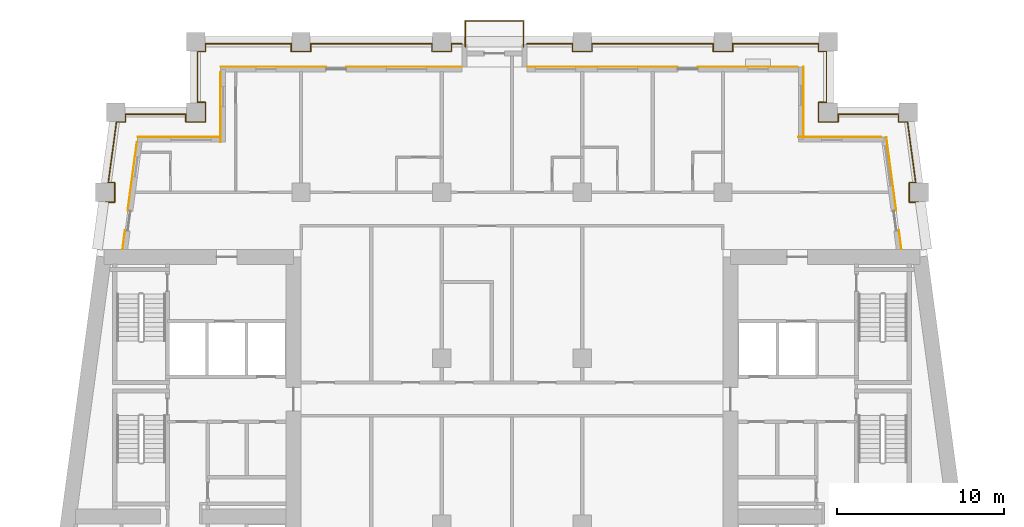
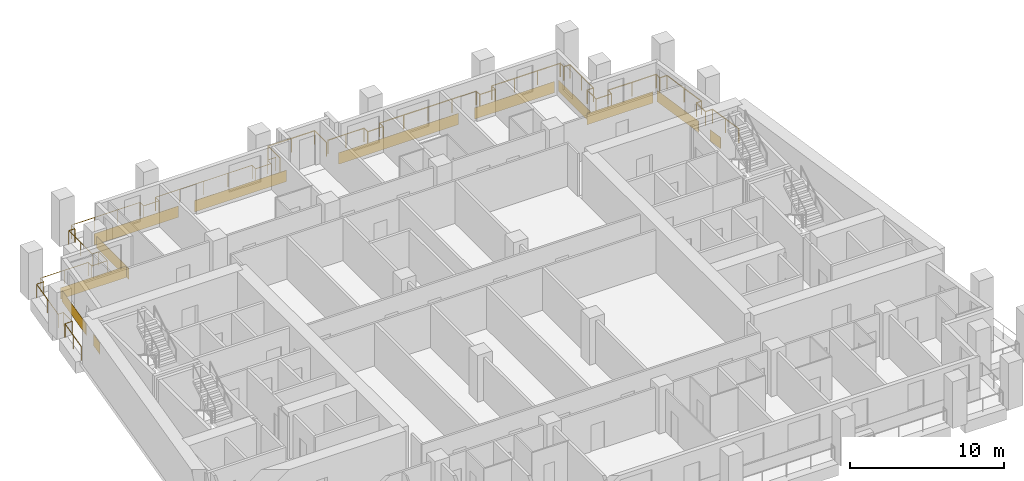
# One storey, part 12 of 13: 12 coverings, 3 railings.
"""IFC4 building model written with IfcOpenShell, lengths in metres."""

from ifc_helpers import new_model, si_unit, direction, frame, origin, origin_2d, place, context, subcontext, project, spatial, rectangle, circle, extrude, material, layer, layer_set, type_object, element, save


model = new_model("IFC4")

# Units and contexts
model_context = context("Model", 3, precision=1e-05, world=origin(), true_north=direction((0.0, 1.0)))
body_context = subcontext(model_context, "Body", "Model", "MODEL_VIEW")
ifc_project = project(units=[si_unit("LENGTHUNIT", "METRE"), si_unit("AREAUNIT", "SQUARE_METRE"), si_unit("VOLUMEUNIT", "CUBIC_METRE"), si_unit("PLANEANGLEUNIT", "RADIAN"), si_unit("MASSUNIT", "GRAM", prefix="KILO")], contexts=[model_context])

# Site, building, storey
site_placement = place(None, origin())
site = spatial("IfcSite", under=ifc_project, at=site_placement, CompositionType="ELEMENT")
building_placement = place(site_placement, origin())
building = spatial("IfcBuilding", under=site, at=building_placement, Name="Candeia Pilgrim Tower and Theatre", CompositionType="ELEMENT")
storey_placement = place(building_placement, frame((0.0, 0.0, 177.39990234375)))
storey = spatial("IfcBuildingStorey", under=building, at=storey_placement, Name="L42", CompositionType="ELEMENT", Elevation=177.39990234375)

# Railings
ifc_material_1 = material(Name="Stainless steel balustrade", Category="steel")
railing_type = type_object("IfcRailingType", Name="G1 loggia guard 1100", PredefinedType="GUARDRAIL", material=ifc_material_1)
railing_1_placement = place(storey_placement, frame((88.758544921875, 132.449951171875, 0.0)))
element("IfcRailing", 1, at=railing_1_placement, inside=storey, type_object=railing_type, Name="Guard L42.2", PredefinedType="GUARDRAIL", context=body_context, shape_type="SweptSolid", body=[
    extrude(circle(Radius=0.02392578125, at=origin_2d()), frame((0.0, 0.0, 1.076171875), z_axis=(0.133382313969, 0.991064659001, 0.0), x_axis=(-0.991064659001, 0.133382313969, 0.0)), (0.0, 0.0, 1.0), 2.794921875),
    extrude(circle(Radius=0.02392578125, at=origin_2d()), frame((0.372802734375, 2.77001953125, 1.076171875), z_axis=(1.0, 0.0, 0.0), x_axis=(0.0, 1.0, 0.0)), (0.0, 0.0, 1.0), 0.537109375),
    extrude(circle(Radius=0.02392578125, at=origin_2d()), frame((0.909912109375, 2.77001953125, 1.076171875), z_axis=(0.0, 1.0, 0.0), x_axis=(-1.0, 0.0, 0.0)), (0.0, 0.0, 1.0), 1.159912109375),
    extrude(circle(Radius=0.02392578125, at=origin_2d()), frame((0.909912109375, 3.929931640625, 1.076171875), z_axis=(-1.0, 0.0, 0.0), x_axis=(0.0, -1.0, 0.0)), (0.0, 0.0, 1.0), 0.380859375),
    extrude(circle(Radius=0.02392578125, at=origin_2d()), frame((0.529052734375, 3.929931640625, 1.076171875), z_axis=(0.133404479078, 0.99106167566, 0.0), x_axis=(-0.99106167566, 0.133404479078, 0.0)), (0.0, 0.0, 1.0), 3.6728515625),
    extrude(circle(Radius=0.02392578125, at=origin_2d()), frame((1.01904296875, 7.570068359375, 1.076171875), z_axis=(1.0, 0.0, 0.0), x_axis=(0.0, 1.0, 0.0)), (0.0, 0.0, 1.0), 0.537109375),
    extrude(circle(Radius=0.02392578125, at=origin_2d()), frame((1.55615234375, 7.570068359375, 1.076171875), z_axis=(0.0, 1.0, 0.0), x_axis=(-1.0, 0.0, 0.0)), (0.0, 0.0, 1.0), 0.4599609375),
    extrude(circle(Radius=0.02392578125, at=origin_2d()), frame((1.55615234375, 8.030029296875, 1.076171875), z_axis=(1.0, 0.0, 0.0), x_axis=(0.0, 1.0, 0.0)), (0.0, 0.0, 1.0), 3.605224609375),
    extrude(circle(Radius=0.02392578125, at=origin_2d()), frame((5.161376953125, 8.030029296875, 1.076171875), z_axis=(0.0, -1.0, 0.0), x_axis=(1.0, 0.0, 0.0)), (0.0, 0.0, 1.0), 0.4599609375),
    extrude(circle(Radius=0.02392578125, at=origin_2d()), frame((5.161376953125, 7.570068359375, 1.076171875), z_axis=(1.0, 0.0, 0.0), x_axis=(0.0, 1.0, 0.0)), (0.0, 0.0, 1.0), 1.16015625),
    extrude(circle(Radius=0.02392578125, at=origin_2d()), frame((6.321533203125, 7.570068359375, 1.076171875), z_axis=(0.0, 1.0, 0.0), x_axis=(-1.0, 0.0, 0.0)), (0.0, 0.0, 1.0), 1.159912109375),
    extrude(circle(Radius=0.02392578125, at=origin_2d()), frame((6.321533203125, 8.72998046875, 1.076171875), z_axis=(-1.0, 0.0, 0.0), x_axis=(0.0, -1.0, 0.0)), (0.0, 0.0, 1.0), 0.4599609375),
    extrude(circle(Radius=0.02392578125, at=origin_2d()), frame((5.861572265625, 8.72998046875, 1.076171875), z_axis=(0.0, 1.0, 0.0), x_axis=(-1.0, 0.0, 0.0)), (0.0, 0.0, 1.0), 3.0400390625),
    extrude(circle(Radius=0.02392578125, at=origin_2d()), frame((5.861572265625, 11.77001953125, 1.076171875), z_axis=(1.0, 0.0, 0.0), x_axis=(0.0, 1.0, 0.0)), (0.0, 0.0, 1.0), 0.4599609375),
    extrude(circle(Radius=0.02392578125, at=origin_2d()), frame((6.321533203125, 11.77001953125, 1.076171875), z_axis=(0.0, 1.0, 0.0), x_axis=(-1.0, 0.0, 0.0)), (0.0, 0.0, 1.0), 0.4599609375),
    extrude(circle(Radius=0.02392578125, at=origin_2d()), frame((6.321533203125, 12.22998046875, 1.076171875), z_axis=(1.0, 0.0, 0.0), x_axis=(0.0, 1.0, 0.0)), (0.0, 0.0, 1.0), 5.139892578125),
    extrude(circle(Radius=0.02392578125, at=origin_2d()), frame((11.46142578125, 12.22998046875, 1.076171875), z_axis=(0.0, -1.0, 0.0), x_axis=(1.0, 0.0, 0.0)), (0.0, 0.0, 1.0), 0.4599609375),
    extrude(circle(Radius=0.02392578125, at=origin_2d()), frame((11.46142578125, 11.77001953125, 1.076171875), z_axis=(1.0, 0.0, 0.0), x_axis=(0.0, 1.0, 0.0)), (0.0, 0.0, 1.0), 1.159912109375),
    extrude(circle(Radius=0.02392578125, at=origin_2d()), frame((12.621337890625, 11.77001953125, 1.076171875), z_axis=(0.0, 1.0, 0.0), x_axis=(-1.0, 0.0, 0.0)), (0.0, 0.0, 1.0), 0.4599609375),
    extrude(circle(Radius=0.02392578125, at=origin_2d()), frame((12.621337890625, 12.22998046875, 1.076171875), z_axis=(1.0, 0.0, 0.0), x_axis=(0.0, 1.0, 0.0)), (0.0, 0.0, 1.0), 7.240234375),
    extrude(circle(Radius=0.02392578125, at=origin_2d()), frame((19.861572265625, 12.22998046875, 1.076171875), z_axis=(0.0, -1.0, 0.0), x_axis=(1.0, 0.0, 0.0)), (0.0, 0.0, 1.0), 0.4599609375),
    extrude(circle(Radius=0.02392578125, at=origin_2d()), frame((19.861572265625, 11.77001953125, 1.076171875), z_axis=(1.0, 0.0, 0.0), x_axis=(0.0, 1.0, 0.0)), (0.0, 0.0, 1.0), 1.159912109375),
    extrude(circle(Radius=0.02392578125, at=origin_2d()), frame((21.021484375, 11.77001953125, 1.076171875), z_axis=(0.0, 1.0, 0.0), x_axis=(-1.0, 0.0, 0.0)), (0.0, 0.0, 1.0), 0.4599609375),
    extrude(circle(Radius=0.02392578125, at=origin_2d()), frame((21.021484375, 12.22998046875, 1.076171875), z_axis=(1.0, 0.0, 0.0), x_axis=(0.0, 1.0, 0.0)), (0.0, 0.0, 1.0), 0.619873046875),
    extrude(circle(Radius=0.02099609375, at=origin_2d()), origin(), (0.0, 0.0, 1.0), 1.052001953125),
    extrude(circle(Radius=0.02099609375, at=origin_2d()), frame((0.1865234375, 1.385009765625, 0.0)), (0.0, 0.0, 1.0), 1.052001953125),
    extrude(circle(Radius=0.02099609375, at=origin_2d()), frame((0.372802734375, 2.77001953125, 0.0)), (0.0, 0.0, 1.0), 1.052001953125),
    extrude(circle(Radius=0.02099609375, at=origin_2d()), frame((0.909912109375, 2.77001953125, 0.0)), (0.0, 0.0, 1.0), 1.052001953125),
    extrude(circle(Radius=0.02099609375, at=origin_2d()), frame((0.909912109375, 3.929931640625, 0.0)), (0.0, 0.0, 1.0), 1.052001953125),
    extrude(circle(Radius=0.02099609375, at=origin_2d()), frame((0.529052734375, 3.929931640625, 0.0)), (0.0, 0.0, 1.0), 1.052001953125),
    extrude(circle(Radius=0.02099609375, at=origin_2d()), frame((0.77392578125, 5.75, 0.0)), (0.0, 0.0, 1.0), 1.052001953125),
    extrude(circle(Radius=0.02099609375, at=origin_2d()), frame((1.01904296875, 7.570068359375, 0.0)), (0.0, 0.0, 1.0), 1.052001953125),
    extrude(circle(Radius=0.02099609375, at=origin_2d()), frame((1.55615234375, 7.570068359375, 0.0)), (0.0, 0.0, 1.0), 1.052001953125),
    extrude(circle(Radius=0.02099609375, at=origin_2d()), frame((1.55615234375, 8.030029296875, 0.0)), (0.0, 0.0, 1.0), 1.052001953125),
    extrude(circle(Radius=0.02099609375, at=origin_2d()), frame((3.35888671875, 8.030029296875, 0.0)), (0.0, 0.0, 1.0), 1.052001953125),
    extrude(circle(Radius=0.02099609375, at=origin_2d()), frame((5.161376953125, 8.030029296875, 0.0)), (0.0, 0.0, 1.0), 1.052001953125),
    extrude(circle(Radius=0.02099609375, at=origin_2d()), frame((5.161376953125, 7.570068359375, 0.0)), (0.0, 0.0, 1.0), 1.052001953125),
    extrude(circle(Radius=0.02099609375, at=origin_2d()), frame((6.321533203125, 7.570068359375, 0.0)), (0.0, 0.0, 1.0), 1.052001953125),
    extrude(circle(Radius=0.02099609375, at=origin_2d()), frame((6.321533203125, 8.72998046875, 0.0)), (0.0, 0.0, 1.0), 1.052001953125),
    extrude(circle(Radius=0.02099609375, at=origin_2d()), frame((5.861572265625, 8.72998046875, 0.0)), (0.0, 0.0, 1.0), 1.052001953125),
    extrude(circle(Radius=0.02099609375, at=origin_2d()), frame((5.861572265625, 10.25, 0.0)), (0.0, 0.0, 1.0), 1.052001953125),
    extrude(circle(Radius=0.02099609375, at=origin_2d()), frame((5.861572265625, 11.77001953125, 0.0)), (0.0, 0.0, 1.0), 1.052001953125),
    extrude(circle(Radius=0.02099609375, at=origin_2d()), frame((6.321533203125, 11.77001953125, 0.0)), (0.0, 0.0, 1.0), 1.052001953125),
    extrude(circle(Radius=0.02099609375, at=origin_2d()), frame((6.321533203125, 12.22998046875, 0.0)), (0.0, 0.0, 1.0), 1.052001953125),
    extrude(circle(Radius=0.02099609375, at=origin_2d()), frame((8.034912109375, 12.22998046875, 0.0)), (0.0, 0.0, 1.0), 1.052001953125),
    extrude(circle(Radius=0.02099609375, at=origin_2d()), frame((9.748046875, 12.22998046875, 0.0)), (0.0, 0.0, 1.0), 1.052001953125),
    extrude(circle(Radius=0.02099609375, at=origin_2d()), frame((11.46142578125, 12.22998046875, 0.0)), (0.0, 0.0, 1.0), 1.052001953125),
    extrude(circle(Radius=0.02099609375, at=origin_2d()), frame((11.46142578125, 11.77001953125, 0.0)), (0.0, 0.0, 1.0), 1.052001953125),
    extrude(circle(Radius=0.02099609375, at=origin_2d()), frame((12.621337890625, 11.77001953125, 0.0)), (0.0, 0.0, 1.0), 1.052001953125),
    extrude(circle(Radius=0.02099609375, at=origin_2d()), frame((12.621337890625, 12.22998046875, 0.0)), (0.0, 0.0, 1.0), 1.052001953125),
    extrude(circle(Radius=0.02099609375, at=origin_2d()), frame((14.431396484375, 12.22998046875, 0.0)), (0.0, 0.0, 1.0), 1.052001953125),
    extrude(circle(Radius=0.02099609375, at=origin_2d()), frame((16.241455078125, 12.22998046875, 0.0)), (0.0, 0.0, 1.0), 1.052001953125),
    extrude(circle(Radius=0.02099609375, at=origin_2d()), frame((18.051513671875, 12.22998046875, 0.0)), (0.0, 0.0, 1.0), 1.052001953125),
    extrude(circle(Radius=0.02099609375, at=origin_2d()), frame((19.861572265625, 12.22998046875, 0.0)), (0.0, 0.0, 1.0), 1.052001953125),
    extrude(circle(Radius=0.02099609375, at=origin_2d()), frame((19.861572265625, 11.77001953125, 0.0)), (0.0, 0.0, 1.0), 1.052001953125),
    extrude(circle(Radius=0.02099609375, at=origin_2d()), frame((21.021484375, 11.77001953125, 0.0)), (0.0, 0.0, 1.0), 1.052001953125),
    extrude(circle(Radius=0.02099609375, at=origin_2d()), frame((21.021484375, 12.22998046875, 0.0)), (0.0, 0.0, 1.0), 1.052001953125),
    extrude(circle(Radius=0.02099609375, at=origin_2d()), frame((21.641357421875, 12.22998046875, 0.0)), (0.0, 0.0, 1.0), 1.052001953125),
])
railing_2_placement = place(storey_placement, frame((114.300048828125, 144.679931640625, 0.0)))
element("IfcRailing", 2, at=railing_2_placement, inside=storey, type_object=railing_type, Name="Guard L42.3", PredefinedType="GUARDRAIL", context=body_context, shape_type="SweptSolid", body=[
    extrude(circle(Radius=0.02392578125, at=origin_2d()), frame((0.0, 0.0, 1.076171875), z_axis=(1.0, 0.0, 0.0), x_axis=(0.0, 1.0, 0.0)), (0.0, 0.0, 1.0), 2.719970703125),
    extrude(circle(Radius=0.02392578125, at=origin_2d()), frame((2.719970703125, 0.0, 1.076171875), z_axis=(0.0, -1.0, 0.0), x_axis=(1.0, 0.0, 0.0)), (0.0, 0.0, 1.0), 0.4599609375),
    extrude(circle(Radius=0.02392578125, at=origin_2d()), frame((2.719970703125, -0.4599609375, 1.076171875), z_axis=(1.0, 0.0, 0.0), x_axis=(0.0, 1.0, 0.0)), (0.0, 0.0, 1.0), 1.159912109375),
    extrude(circle(Radius=0.02392578125, at=origin_2d()), frame((3.8798828125, -0.4599609375, 1.076171875), z_axis=(0.0, 1.0, 0.0), x_axis=(-1.0, 0.0, 0.0)), (0.0, 0.0, 1.0), 0.4599609375),
    extrude(circle(Radius=0.02392578125, at=origin_2d()), frame((3.8798828125, 0.0, 1.076171875), z_axis=(1.0, 0.0, 0.0), x_axis=(0.0, 1.0, 0.0)), (0.0, 0.0, 1.0), 7.239990234375),
    extrude(circle(Radius=0.02392578125, at=origin_2d()), frame((11.119873046875, 0.0, 1.076171875), z_axis=(0.0, -1.0, 0.0), x_axis=(1.0, 0.0, 0.0)), (0.0, 0.0, 1.0), 0.4599609375),
    extrude(circle(Radius=0.02392578125, at=origin_2d()), frame((11.119873046875, -0.4599609375, 1.076171875), z_axis=(1.0, 0.0, 0.0), x_axis=(0.0, 1.0, 0.0)), (0.0, 0.0, 1.0), 1.16015625),
    extrude(circle(Radius=0.02392578125, at=origin_2d()), frame((12.280029296875, -0.4599609375, 1.076171875), z_axis=(0.0, 1.0, 0.0), x_axis=(-1.0, 0.0, 0.0)), (0.0, 0.0, 1.0), 0.4599609375),
    extrude(circle(Radius=0.02392578125, at=origin_2d()), frame((12.280029296875, 0.0, 1.076171875), z_axis=(1.0, 0.0, 0.0), x_axis=(0.0, 1.0, 0.0)), (0.0, 0.0, 1.0), 5.139892578125),
    extrude(circle(Radius=0.02392578125, at=origin_2d()), frame((17.419921875, 0.0, 1.076171875), z_axis=(0.0, -1.0, 0.0), x_axis=(1.0, 0.0, 0.0)), (0.0, 0.0, 1.0), 0.4599609375),
    extrude(circle(Radius=0.02392578125, at=origin_2d()), frame((17.419921875, -0.4599609375, 1.076171875), z_axis=(1.0, 0.0, 0.0), x_axis=(0.0, 1.0, 0.0)), (0.0, 0.0, 1.0), 0.4599609375),
    extrude(circle(Radius=0.02392578125, at=origin_2d()), frame((17.8798828125, -0.4599609375, 1.076171875), z_axis=(0.0, -1.0, 0.0), x_axis=(1.0, 0.0, 0.0)), (0.0, 0.0, 1.0), 3.0400390625),
    extrude(circle(Radius=0.02392578125, at=origin_2d()), frame((17.8798828125, -3.5, 1.076171875), z_axis=(-1.0, 0.0, 0.0), x_axis=(0.0, -1.0, 0.0)), (0.0, 0.0, 1.0), 0.4599609375),
    extrude(circle(Radius=0.02392578125, at=origin_2d()), frame((17.419921875, -3.5, 1.076171875), z_axis=(0.0, -1.0, 0.0), x_axis=(1.0, 0.0, 0.0)), (0.0, 0.0, 1.0), 1.159912109375),
    extrude(circle(Radius=0.02392578125, at=origin_2d()), frame((17.419921875, -4.659912109375, 1.076171875), z_axis=(1.0, 0.0, 0.0), x_axis=(0.0, 1.0, 0.0)), (0.0, 0.0, 1.0), 1.159912109375),
    extrude(circle(Radius=0.02392578125, at=origin_2d()), frame((18.579833984375, -4.659912109375, 1.076171875), z_axis=(0.0, 1.0, 0.0), x_axis=(-1.0, 0.0, 0.0)), (0.0, 0.0, 1.0), 0.4599609375),
    extrude(circle(Radius=0.02392578125, at=origin_2d()), frame((18.579833984375, -4.199951171875, 1.076171875), z_axis=(1.0, 0.0, 0.0), x_axis=(0.0, 1.0, 0.0)), (0.0, 0.0, 1.0), 3.60546875),
    extrude(circle(Radius=0.02392578125, at=origin_2d()), frame((22.185302734375, -4.199951171875, 1.076171875), z_axis=(0.0, -1.0, 0.0), x_axis=(1.0, 0.0, 0.0)), (0.0, 0.0, 1.0), 0.4599609375),
    extrude(circle(Radius=0.02392578125, at=origin_2d()), frame((22.185302734375, -4.659912109375, 1.076171875), z_axis=(1.0, 0.0, 0.0), x_axis=(0.0, 1.0, 0.0)), (0.0, 0.0, 1.0), 0.537109375),
    extrude(circle(Radius=0.02392578125, at=origin_2d()), frame((22.722412109375, -4.659912109375, 1.076171875), z_axis=(0.133404479078, -0.99106167566, 0.0), x_axis=(0.99106167566, 0.133404479078, 0.0)), (0.0, 0.0, 1.0), 3.6728515625),
    extrude(circle(Radius=0.02392578125, at=origin_2d()), frame((23.21240234375, -8.300048828125, 1.076171875), z_axis=(-1.0, 0.0, 0.0), x_axis=(0.0, -1.0, 0.0)), (0.0, 0.0, 1.0), 0.380859375),
    extrude(circle(Radius=0.02392578125, at=origin_2d()), frame((22.83154296875, -8.300048828125, 1.076171875), z_axis=(0.0, -1.0, 0.0), x_axis=(1.0, 0.0, 0.0)), (0.0, 0.0, 1.0), 1.159912109375),
    extrude(circle(Radius=0.02392578125, at=origin_2d()), frame((22.83154296875, -9.4599609375, 1.076171875), z_axis=(1.0, 0.0, 0.0), x_axis=(0.0, 1.0, 0.0)), (0.0, 0.0, 1.0), 0.536865234375),
    extrude(circle(Radius=0.02392578125, at=origin_2d()), frame((23.368408203125, -9.4599609375, 1.076171875), z_axis=(0.133468107709, -0.99105310868, 0.0), x_axis=(0.99105310868, 0.133468107709, 0.0)), (0.0, 0.0, 1.0), 2.794921875),
    extrude(circle(Radius=0.02099609375, at=origin_2d()), origin(), (0.0, 0.0, 1.0), 1.052001953125),
    extrude(circle(Radius=0.02099609375, at=origin_2d()), frame((1.35986328125, 0.0, 0.0)), (0.0, 0.0, 1.0), 1.052001953125),
    extrude(circle(Radius=0.02099609375, at=origin_2d()), frame((2.719970703125, 0.0, 0.0)), (0.0, 0.0, 1.0), 1.052001953125),
    extrude(circle(Radius=0.02099609375, at=origin_2d()), frame((2.719970703125, -0.4599609375, 0.0)), (0.0, 0.0, 1.0), 1.052001953125),
    extrude(circle(Radius=0.02099609375, at=origin_2d()), frame((3.8798828125, -0.4599609375, 0.0)), (0.0, 0.0, 1.0), 1.052001953125),
    extrude(circle(Radius=0.02099609375, at=origin_2d()), frame((3.8798828125, 0.0, 0.0)), (0.0, 0.0, 1.0), 1.052001953125),
    extrude(circle(Radius=0.02099609375, at=origin_2d()), frame((5.68994140625, 0.0, 0.0)), (0.0, 0.0, 1.0), 1.052001953125),
    extrude(circle(Radius=0.02099609375, at=origin_2d()), frame((7.5, 0.0, 0.0)), (0.0, 0.0, 1.0), 1.052001953125),
    extrude(circle(Radius=0.02099609375, at=origin_2d()), frame((9.309814453125, 0.0, 0.0)), (0.0, 0.0, 1.0), 1.052001953125),
    extrude(circle(Radius=0.02099609375, at=origin_2d()), frame((11.119873046875, 0.0, 0.0)), (0.0, 0.0, 1.0), 1.052001953125),
    extrude(circle(Radius=0.02099609375, at=origin_2d()), frame((11.119873046875, -0.4599609375, 0.0)), (0.0, 0.0, 1.0), 1.052001953125),
    extrude(circle(Radius=0.02099609375, at=origin_2d()), frame((12.280029296875, -0.4599609375, 0.0)), (0.0, 0.0, 1.0), 1.052001953125),
    extrude(circle(Radius=0.02099609375, at=origin_2d()), frame((12.280029296875, 0.0, 0.0)), (0.0, 0.0, 1.0), 1.052001953125),
    extrude(circle(Radius=0.02099609375, at=origin_2d()), frame((13.993408203125, 0.0, 0.0)), (0.0, 0.0, 1.0), 1.052001953125),
    extrude(circle(Radius=0.02099609375, at=origin_2d()), frame((15.70654296875, 0.0, 0.0)), (0.0, 0.0, 1.0), 1.052001953125),
    extrude(circle(Radius=0.02099609375, at=origin_2d()), frame((17.419921875, 0.0, 0.0)), (0.0, 0.0, 1.0), 1.052001953125),
    extrude(circle(Radius=0.02099609375, at=origin_2d()), frame((17.419921875, -0.4599609375, 0.0)), (0.0, 0.0, 1.0), 1.052001953125),
    extrude(circle(Radius=0.02099609375, at=origin_2d()), frame((17.8798828125, -0.4599609375, 0.0)), (0.0, 0.0, 1.0), 1.052001953125),
    extrude(circle(Radius=0.02099609375, at=origin_2d()), frame((17.8798828125, -1.97998046875, 0.0)), (0.0, 0.0, 1.0), 1.052001953125),
    extrude(circle(Radius=0.02099609375, at=origin_2d()), frame((17.8798828125, -3.5, 0.0)), (0.0, 0.0, 1.0), 1.052001953125),
    extrude(circle(Radius=0.02099609375, at=origin_2d()), frame((17.419921875, -3.5, 0.0)), (0.0, 0.0, 1.0), 1.052001953125),
    extrude(circle(Radius=0.02099609375, at=origin_2d()), frame((17.419921875, -4.659912109375, 0.0)), (0.0, 0.0, 1.0), 1.052001953125),
    extrude(circle(Radius=0.02099609375, at=origin_2d()), frame((18.579833984375, -4.659912109375, 0.0)), (0.0, 0.0, 1.0), 1.052001953125),
    extrude(circle(Radius=0.02099609375, at=origin_2d()), frame((18.579833984375, -4.199951171875, 0.0)), (0.0, 0.0, 1.0), 1.052001953125),
    extrude(circle(Radius=0.02099609375, at=origin_2d()), frame((20.382568359375, -4.199951171875, 0.0)), (0.0, 0.0, 1.0), 1.052001953125),
    extrude(circle(Radius=0.02099609375, at=origin_2d()), frame((22.185302734375, -4.199951171875, 0.0)), (0.0, 0.0, 1.0), 1.052001953125),
    extrude(circle(Radius=0.02099609375, at=origin_2d()), frame((22.185302734375, -4.659912109375, 0.0)), (0.0, 0.0, 1.0), 1.052001953125),
    extrude(circle(Radius=0.02099609375, at=origin_2d()), frame((22.722412109375, -4.659912109375, 0.0)), (0.0, 0.0, 1.0), 1.052001953125),
    extrude(circle(Radius=0.02099609375, at=origin_2d()), frame((22.96728515625, -6.47998046875, 0.0)), (0.0, 0.0, 1.0), 1.052001953125),
    extrude(circle(Radius=0.02099609375, at=origin_2d()), frame((23.21240234375, -8.300048828125, 0.0)), (0.0, 0.0, 1.0), 1.052001953125),
    extrude(circle(Radius=0.02099609375, at=origin_2d()), frame((22.83154296875, -8.300048828125, 0.0)), (0.0, 0.0, 1.0), 1.052001953125),
    extrude(circle(Radius=0.02099609375, at=origin_2d()), frame((22.83154296875, -9.4599609375, 0.0)), (0.0, 0.0, 1.0), 1.052001953125),
    extrude(circle(Radius=0.02099609375, at=origin_2d()), frame((23.368408203125, -9.4599609375, 0.0)), (0.0, 0.0, 1.0), 1.052001953125),
    extrude(circle(Radius=0.02099609375, at=origin_2d()), frame((23.554931640625, -10.844970703125, 0.0)), (0.0, 0.0, 1.0), 1.052001953125),
    extrude(circle(Radius=0.02099609375, at=origin_2d()), frame((23.741455078125, -12.22998046875, 0.0)), (0.0, 0.0, 1.0), 1.052001953125),
])
railing_3_placement = place(storey_placement, frame((110.610107421875, 144.5, 0.0)))
element("IfcRailing", 3, at=railing_3_placement, inside=storey, type_object=railing_type, Name="Balcony guard L42", PredefinedType="GUARDRAIL", context=body_context, shape_type="SweptSolid", body=[
    extrude(circle(Radius=0.02392578125, at=origin_2d()), frame((0.0, 0.0, 1.076171875), z_axis=(0.0, 1.0, 0.0), x_axis=(-1.0, 0.0, 0.0)), (0.0, 0.0, 1.0), 1.5400390625),
    extrude(circle(Radius=0.02392578125, at=origin_2d()), frame((0.0, 1.5400390625, 1.076171875), z_axis=(1.0, 0.0, 0.0), x_axis=(0.0, 1.0, 0.0)), (0.0, 0.0, 1.0), 3.47998046875),
    extrude(circle(Radius=0.02392578125, at=origin_2d()), frame((3.47998046875, 1.5400390625, 1.076171875), z_axis=(0.0, -1.0, 0.0), x_axis=(1.0, 0.0, 0.0)), (0.0, 0.0, 1.0), 1.5400390625),
    extrude(circle(Radius=0.02099609375, at=origin_2d()), origin(), (0.0, 0.0, 1.0), 1.052001953125),
    extrude(circle(Radius=0.02099609375, at=origin_2d()), frame((0.0, 1.5400390625, 0.0)), (0.0, 0.0, 1.0), 1.052001953125),
    extrude(circle(Radius=0.02099609375, at=origin_2d()), frame((1.739990234375, 1.5400390625, 0.0)), (0.0, 0.0, 1.0), 1.052001953125),
    extrude(circle(Radius=0.02099609375, at=origin_2d()), frame((3.47998046875, 1.5400390625, 0.0)), (0.0, 0.0, 1.0), 1.052001953125),
    extrude(circle(Radius=0.02099609375, at=origin_2d()), frame((3.47998046875, 0.0, 0.0)), (0.0, 0.0, 1.0), 1.052001953125),
])

# Coverings
ifc_material_2 = material(Name="Glazed ceramic tile rust")
ifc_layer = layer(ifc_material_2, 0.02001953125)
ifc_layer_set = layer_set([ifc_layer], Name="Glazed ceramic tile rust")
covering_type = type_object("IfcCoveringType", Name="Glazed ceramic tile rust", PredefinedType="CLADDING", material=ifc_layer_set)
covering_1_placement = place(storey_placement, frame((136.588623046875, 132.97412109375, 0.000244140625), z_axis=(0.0, 0.0, 1.0), x_axis=(-0.133412012145, 0.991060661622, 0.0)))
element("IfcCovering", 4, at=covering_1_placement, inside=storey, type_object=covering_type, Name="Tile cladding rust L42", PredefinedType="CLADDING", context=body_context, shape_type="SweptSolid", body=[
    extrude(rectangle(XDim=1.115234375, YDim=0.02001953125, at=origin_2d()), origin(), (0.0, 0.0, 1.0), 0.89990234375),
])
covering_2_placement = place(storey_placement, frame((136.058837890625, 136.90869140625, 0.000244140625), z_axis=(0.0, 0.0, 1.0), x_axis=(-0.133412012145, 0.991060661622, 0.0)))
element("IfcCovering", 5, at=covering_2_placement, inside=storey, type_object=covering_type, Name="Tile cladding rust L42", PredefinedType="CLADDING", context=body_context, shape_type="SweptSolid", body=[
    extrude(rectangle(XDim=4.4248046875, YDim=0.02001953125, at=origin_2d()), origin(), (0.0, 0.0, 1.0), 0.89990234375),
])
covering_3_placement = place(storey_placement, frame((132.976318359375, 139.110107421875, 0.000244140625), z_axis=(0.0, 0.0, 1.0), x_axis=(-1.0, 0.0, 0.0)))
element("IfcCovering", 6, at=covering_3_placement, inside=storey, type_object=covering_type, Name="Tile cladding rust L42", PredefinedType="CLADDING", context=body_context, shape_type="SweptSolid", body=[
    extrude(rectangle(XDim=4.95263671875, YDim=0.02001953125, at=origin_2d()), origin(), (0.0, 0.0, 1.0), 0.89990234375),
])
covering_4_placement = place(storey_placement, frame((130.81005859375, 141.2099609375, 0.000244140625), z_axis=(0.0, 0.0, 1.0), x_axis=(0.0, 1.0, 0.0)))
element("IfcCovering", 7, at=covering_4_placement, inside=storey, type_object=covering_type, Name="Tile cladding rust L42", PredefinedType="CLADDING", context=body_context, shape_type="SweptSolid", body=[
    extrude(rectangle(XDim=4.179931640625, YDim=0.02001953125, at=origin_2d()), origin(), (0.0, 0.0, 1.0), 0.89990234375),
])
covering_5_placement = place(storey_placement, frame((127.489990234375, 143.31005859375, 0.000244140625), z_axis=(0.0, 0.0, 1.0), x_axis=(-1.0, 0.0, 0.0)))
element("IfcCovering", 8, at=covering_5_placement, inside=storey, type_object=covering_type, Name="Tile cladding rust L42", PredefinedType="CLADDING", context=body_context, shape_type="SweptSolid", body=[
    extrude(rectangle(XDim=5.97998046875, YDim=0.02001953125, at=origin_2d()), origin(), (0.0, 0.0, 1.0), 0.89990234375),
])
covering_6_placement = place(storey_placement, frame((118.800048828125, 143.31005859375, 0.000244140625), z_axis=(0.0, 0.0, 1.0), x_axis=(-1.0, 0.0, 0.0)))
element("IfcCovering", 9, at=covering_6_placement, inside=storey, type_object=covering_type, Name="Tile cladding rust L42", PredefinedType="CLADDING", context=body_context, shape_type="SweptSolid", body=[
    extrude(rectangle(XDim=9.0, YDim=0.02001953125, at=origin_2d()), origin(), (0.0, 0.0, 1.0), 0.89990234375),
])
covering_7_placement = place(storey_placement, frame((106.949951171875, 143.31005859375, 0.000244140625), z_axis=(0.0, 0.0, 1.0), x_axis=(-1.0, 0.0, 0.0)))
element("IfcCovering", 10, at=covering_7_placement, inside=storey, type_object=covering_type, Name="Tile cladding rust L42", PredefinedType="CLADDING", context=body_context, shape_type="SweptSolid", body=[
    extrude(rectangle(XDim=6.89990234375, YDim=0.02001953125, at=origin_2d()), origin(), (0.0, 0.0, 1.0), 0.89990234375),
])
covering_8_placement = place(storey_placement, frame((99.14990234375, 143.31005859375, 0.000244140625), z_axis=(0.0, 0.0, 1.0), x_axis=(-1.0, 0.0, 0.0)))
element("IfcCovering", 11, at=covering_8_placement, inside=storey, type_object=covering_type, Name="Tile cladding rust L42", PredefinedType="CLADDING", context=body_context, shape_type="SweptSolid", body=[
    extrude(rectangle(XDim=6.300048828125, YDim=0.02001953125, at=origin_2d()), origin(), (0.0, 0.0, 1.0), 0.89990234375),
])
covering_9_placement = place(storey_placement, frame((95.989990234375, 140.889892578125, 0.000244140625), z_axis=(0.0, 0.0, 1.0), x_axis=(0.0, -1.0, 0.0)))
element("IfcCovering", 12, at=covering_9_placement, inside=storey, type_object=covering_type, Name="Tile cladding rust L42", PredefinedType="CLADDING", context=body_context, shape_type="SweptSolid", body=[
    extrude(rectangle(XDim=4.179931640625, YDim=0.02001953125, at=origin_2d()), origin(), (0.0, 0.0, 1.0), 0.89990234375),
])
covering_10_placement = place(storey_placement, frame((93.51318359375, 139.110107421875, 0.000244140625), z_axis=(0.0, 0.0, 1.0), x_axis=(-1.0, 0.0, 0.0)))
element("IfcCovering", 13, at=covering_10_placement, inside=storey, type_object=covering_type, Name="Tile cladding rust L42", PredefinedType="CLADDING", context=body_context, shape_type="SweptSolid", body=[
    extrude(rectangle(XDim=4.933837890625, YDim=0.02001953125, at=origin_2d()), origin(), (0.0, 0.0, 1.0), 0.89990234375),
])
covering_11_placement = place(storey_placement, frame((90.720947265625, 136.759521484375, 0.000244140625), z_axis=(0.0, 0.0, 1.0), x_axis=(-0.133412012145, -0.991060661622, 0.0)))
element("IfcCovering", 14, at=covering_11_placement, inside=storey, type_object=covering_type, Name="Tile cladding rust L42", PredefinedType="CLADDING", context=body_context, shape_type="SweptSolid", body=[
    extrude(rectangle(XDim=4.123779296875, YDim=0.02001953125, at=origin_2d()), origin(), (0.0, 0.0, 1.0), 0.89990234375),
])
covering_12_placement = place(storey_placement, frame((90.21142578125, 132.97412109375, 0.000244140625), z_axis=(0.0, 0.0, 1.0), x_axis=(-0.133412012145, -0.991060661622, 0.0)))
element("IfcCovering", 15, at=covering_12_placement, inside=storey, type_object=covering_type, Name="Tile cladding rust L42", PredefinedType="CLADDING", context=body_context, shape_type="SweptSolid", body=[
    extrude(rectangle(XDim=1.115234375, YDim=0.02001953125, at=origin_2d()), origin(), (0.0, 0.0, 1.0), 0.89990234375),
])

save(model, "model.ifc")
